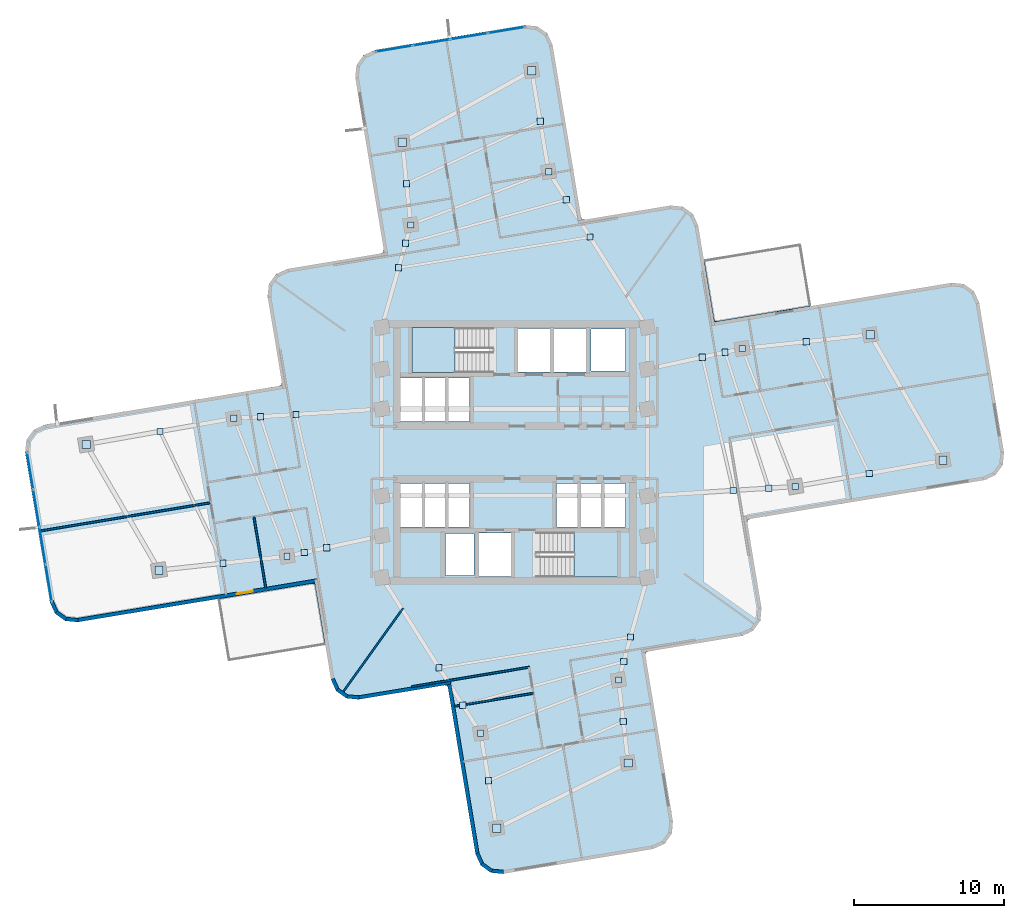
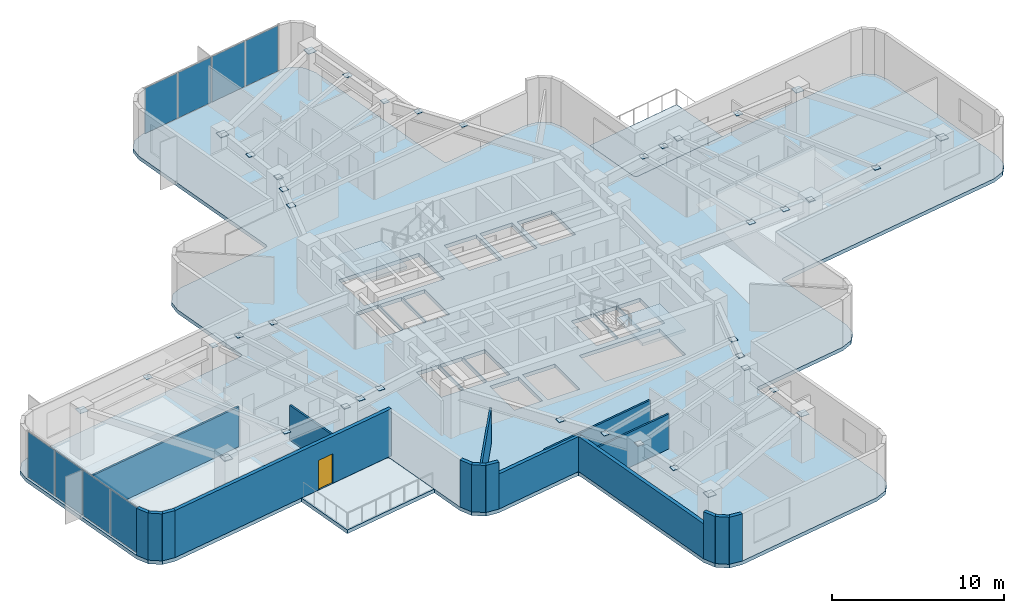
# One storey, part 6 of 13: 48 plates, 17 walls, 5 slabs, 1 door, 1 opening, 4 elements without a shape of their own.
"""IFC4 building model written with IfcOpenShell, lengths in metres."""

from ifc_helpers import new_model, si_unit, direction, frame, frame_2d, origin, origin_2d, place, context, subcontext, project, spatial, polyline, rectangle, outline, extrude, material, layer, layer_set, type_object, element, fill, aggregate, save


model = new_model("IFC4")

# Units and contexts
model_context = context("Model", 3, precision=1e-05, world=origin(), true_north=direction((0.0, 1.0)))
body_context = subcontext(model_context, "Body", "Model", "MODEL_VIEW")
ifc_project = project(units=[si_unit("LENGTHUNIT", "METRE"), si_unit("AREAUNIT", "SQUARE_METRE"), si_unit("VOLUMEUNIT", "CUBIC_METRE"), si_unit("PLANEANGLEUNIT", "RADIAN"), si_unit("MASSUNIT", "GRAM", prefix="KILO")], contexts=[model_context])

# Site, building, storey
site_placement = place(None, origin())
site = spatial("IfcSite", under=ifc_project, at=site_placement, CompositionType="ELEMENT")
building_placement = place(site_placement, origin())
building = spatial("IfcBuilding", under=site, at=building_placement, Name="Solmarez Civic Tower", CompositionType="ELEMENT")
storey_placement = place(building_placement, frame((0.0, 0.0, 96.47998046875)))
storey = spatial("IfcBuildingStorey", under=building, at=storey_placement, Name="L25", CompositionType="ELEMENT", Elevation=96.47998046875)

# Curtain wall, plates
ifc_material_1 = material(Name="Bronze Anodised Aluminium EN AW-6063 T6", Category="aluminium")
ifc_layer_1 = layer(ifc_material_1, 0.155029296875)
ifc_layer_set_1 = layer_set([ifc_layer_1], Name="Bronze Anodised Aluminium EN AW-6063 T6")
curtain_wall_type = type_object("IfcCurtainWallType", Name="CW-SYS-6", PredefinedType="NOTDEFINED", material=ifc_layer_set_1)
curtain_wall_1_placement = place(storey_placement, origin())
curtain_wall_1 = element("IfcCurtainWall", 1, at=curtain_wall_1_placement, inside=storey, type_object=curtain_wall_type, Name="L25 Stick-Built Curtain Wall 1", PredefinedType="NOTDEFINED")
ifc_material_2 = material(Name="Solar Control Low-E Laminated Vision Glass", Category="glass")
ifc_layer_2 = layer(ifc_material_2, 0.031982421875)
ifc_layer_set_2 = layer_set([ifc_layer_2], Name="Solar Control Low-E Laminated Vision Glass")
plate_type_1 = type_object("IfcPlateType", Name="CWP-GLAZ-32", PredefinedType="CURTAIN_PANEL", material=ifc_layer_set_2)
plate_1_placement = place(storey_placement, frame((-31.07421875, -8.7138671875, 0.06005859375), z_axis=(0.0, 0.0, 1.0), x_axis=(-0.163313377789, 0.986574244867, 0.0)))
plate_1 = element("IfcPlate", 2, at=plate_1_placement, type_object=plate_type_1, Name="CWS6 panel 1.1", PredefinedType="CURTAIN_PANEL", context=body_context, shape_type="SweptSolid", body=[
    extrude(rectangle(XDim=2.4345703125, YDim=0.031982421875, at=origin_2d()), origin(), (0.0, 0.0, 1.0), 3.219970703125),
])
plate_2_placement = place(storey_placement, frame((-31.486083984375, -6.225830078125, 0.06005859375), z_axis=(0.0, 0.0, 1.0), x_axis=(-0.163313377789, 0.986574244867, 0.0)))
plate_2 = element("IfcPlate", 3, at=plate_2_placement, type_object=plate_type_1, Name="CWS6 panel 2.1", PredefinedType="CURTAIN_PANEL", context=body_context, shape_type="SweptSolid", body=[
    extrude(rectangle(XDim=2.469482421875, YDim=0.031982421875, at=origin_2d()), origin(), (0.0, 0.0, 1.0), 3.219970703125),
])
plate_3_placement = place(storey_placement, frame((-31.90087890625, -3.72021484375, 0.06005859375), z_axis=(0.0, 0.0, 1.0), x_axis=(-0.163313377789, 0.986574244867, 0.0)))
plate_3 = element("IfcPlate", 4, at=plate_3_placement, type_object=plate_type_1, Name="CWS6 panel 3.1", PredefinedType="CURTAIN_PANEL", context=body_context, shape_type="SweptSolid", body=[
    extrude(rectangle(XDim=2.469482421875, YDim=0.031982421875, at=origin_2d()), origin(), (0.0, 0.0, 1.0), 3.219970703125),
])
plate_4_placement = place(storey_placement, frame((-32.312744140625, -1.23193359375, 0.06005859375), z_axis=(0.0, 0.0, 1.0), x_axis=(-0.163313377789, 0.986574244867, 0.0)))
plate_4 = element("IfcPlate", 5, at=plate_4_placement, type_object=plate_type_1, Name="CWS6 panel 4.1", PredefinedType="CURTAIN_PANEL", context=body_context, shape_type="SweptSolid", body=[
    extrude(rectangle(XDim=2.4345703125, YDim=0.031982421875, at=origin_2d()), origin(), (0.0, 0.0, 1.0), 3.219970703125),
])
aggregate(curtain_wall_1, [plate_1, plate_2, plate_3, plate_4])

curtain_wall_2_placement = place(storey_placement, origin())
curtain_wall_2 = element("IfcCurtainWall", 6, at=curtain_wall_2_placement, inside=storey, type_object=curtain_wall_type, Name="L25 Stick-Built Curtain Wall 2", PredefinedType="NOTDEFINED")
plate_5_placement = place(storey_placement, frame((-8.028076171875, 26.93017578125, 0.06005859375), z_axis=(0.0, 0.0, 1.0), x_axis=(0.986574244867, 0.163313377789, 0.0)))
plate_5 = element("IfcPlate", 7, at=plate_5_placement, type_object=plate_type_1, Name="CWS6 panel 1.1", PredefinedType="CURTAIN_PANEL", context=body_context, shape_type="SweptSolid", body=[
    extrude(rectangle(XDim=2.4345703125, YDim=0.031982421875, at=origin_2d()), origin(), (0.0, 0.0, 1.0), 3.219970703125),
])
plate_6_placement = place(storey_placement, frame((-5.539794921875, 27.342041015625, 0.06005859375), z_axis=(0.0, 0.0, 1.0), x_axis=(0.986574244867, 0.163313377789, 0.0)))
plate_6 = element("IfcPlate", 8, at=plate_6_placement, type_object=plate_type_1, Name="CWS6 panel 2.1", PredefinedType="CURTAIN_PANEL", context=body_context, shape_type="SweptSolid", body=[
    extrude(rectangle(XDim=2.469482421875, YDim=0.031982421875, at=origin_2d()), origin(), (0.0, 0.0, 1.0), 3.219970703125),
])
plate_7_placement = place(storey_placement, frame((-3.0341796875, 27.7568359375, 0.06005859375), z_axis=(0.0, 0.0, 1.0), x_axis=(0.986574244867, 0.163313377789, 0.0)))
plate_7 = element("IfcPlate", 9, at=plate_7_placement, type_object=plate_type_1, Name="CWS6 panel 3.1", PredefinedType="CURTAIN_PANEL", context=body_context, shape_type="SweptSolid", body=[
    extrude(rectangle(XDim=2.469482421875, YDim=0.031982421875, at=origin_2d()), origin(), (0.0, 0.0, 1.0), 3.219970703125),
])
plate_8_placement = place(storey_placement, frame((-0.5458984375, 28.168701171875, 0.06005859375), z_axis=(0.0, 0.0, 1.0), x_axis=(0.986574244867, 0.163313377789, 0.0)))
plate_8 = element("IfcPlate", 10, at=plate_8_placement, type_object=plate_type_1, Name="CWS6 panel 4.1", PredefinedType="CURTAIN_PANEL", context=body_context, shape_type="SweptSolid", body=[
    extrude(rectangle(XDim=2.4345703125, YDim=0.031982421875, at=origin_2d()), origin(), (0.0, 0.0, 1.0), 3.219970703125),
])
aggregate(curtain_wall_2, [plate_5, plate_6, plate_7, plate_8])

# Plates
ifc_material_3 = material(Name="Steel S355", Category="steel")
ifc_layer_3 = layer(ifc_material_3, 0.02392578125)
ifc_layer_set_3 = layer_set([ifc_layer_3], Name="Steel S355")
plate_type_2 = type_object("IfcPlateType", Name="PLT-CAP-380", PredefinedType="USERDEFINED", material=ifc_layer_set_3)
for number, where, z_axis, x_axis, name in (
    (11, (18.72412109375, -2.27099609375, 3.177978515625), (0.0, 0.0, 1.0), (1.0, 0.0, 0.0), "Steel Member End Cap Plate CAP-BM-L25-EA-T1-0"),
    (12, (15.175048828125, 6.927001953125, 3.177978515625), (0.0, 0.0, 1.0), (1.0, 0.0, 0.0), "Steel Member End Cap Plate CAP-BM-L25-EA-T1-1"),
    (13, (23.64990234375, -1.402099609375, 3.177978515625), (0.0, 0.0, 1.0), (1.0, 0.0, 0.0), "Steel Member End Cap Plate CAP-JS-L25-EA-M2-0"),
    (14, (19.445068359375, 7.388916015625, 3.177978515625), (0.0, 0.0, 1.0), (1.0, 0.0, 0.0), "Steel Member End Cap Plate CAP-JS-L25-EA-M2-1"),
    (15, (14.576904296875, -2.534912109375, 3.177978515625), (0.0, 0.0, 1.0), (1.0, 0.0, 0.0), "Steel Member End Cap Plate CAP-JS-L25-EA-M11-0"),
    (16, (12.51806640625, 6.34912109375, 3.177978515625), (0.0, 0.0, 1.0), (1.0, 0.0, 0.0), "Steel Member End Cap Plate CAP-JS-L25-EA-M11-1"),
    (17, (16.947021484375, -2.384033203125, 3.177978515625), (0.0, 0.0, 1.0), (1.0, 0.0, 0.0), "Steel Member End Cap Plate CAP-JS-L25-EA-M12-0"),
    (18, (14.037109375, 6.678955078125, 3.177978515625), (0.0, 0.0, 1.0), (1.0, 0.0, 0.0), "Steel Member End Cap Plate CAP-JS-L25-EA-M12-1"),
    (19, (2.27099609375, 18.72412109375, 3.177978515625), (0.0, 0.0, 1.0), (1.0, 0.0, 0.0), "Steel Member End Cap Plate CAP-BM-L25-NA-T1-0"),
    (20, (-6.927001953125, 15.175048828125, 3.177978515625), (0.0, 0.0, 1.0), (1.0, 0.0, 0.0), "Steel Member End Cap Plate CAP-BM-L25-NA-T1-1"),
    (21, (1.705078125, 22.090087890625, 3.177978515625), (0.0, 0.0, 1.0), (1.0, 0.0, 0.0), "Steel Member End Cap Plate CAP-JS-L25-NA-M2-0"),
    (22, (-7.2080078125, 17.927001953125, 3.177978515625), (0.0, 0.0, 1.0), (1.0, 0.0, 0.0), "Steel Member End Cap Plate CAP-JS-L25-NA-M2-1"),
    (23, (5.033935546875, 14.366943359375, 3.177978515625), (0.0, 0.0, 1.0), (1.0, 0.0, 0.0), "Steel Member End Cap Plate CAP-JS-L25-NA-M11-0"),
    (24, (-7.735107421875, 12.30908203125, 3.177978515625), (0.0, 0.0, 1.0), (1.0, 0.0, 0.0), "Steel Member End Cap Plate CAP-JS-L25-NA-M11-1"),
    (25, (3.455078125, 16.85693359375, 3.177978515625), (0.0, 0.0, 1.0), (1.0, 0.0, 0.0), "Steel Member End Cap Plate CAP-JS-L25-NA-M12-0"),
    (26, (-7.27294921875, 13.947021484375, 3.177978515625), (0.0, 0.0, 1.0), (1.0, 0.0, 0.0), "Steel Member End Cap Plate CAP-JS-L25-NA-M12-1"),
    (27, (-18.72412109375, 2.27099609375, 3.177978515625), (0.0, 0.0, 1.0), (1.0, 0.0, 0.0), "Steel Member End Cap Plate CAP-BM-L25-WA-T1-0"),
    (28, (-15.175048828125, -6.927001953125, 3.177978515625), (0.0, 0.0, 1.0), (1.0, 0.0, 0.0), "Steel Member End Cap Plate CAP-BM-L25-WA-T1-1"),
    (29, (-23.64990234375, 1.402099609375, 3.177978515625), (0.0, 0.0, 1.0), (1.0, 0.0, 0.0), "Steel Member End Cap Plate CAP-JS-L25-WA-M2-0"),
    (30, (-19.445068359375, -7.388916015625, 3.177978515625), (0.0, 0.0, 1.0), (1.0, 0.0, 0.0), "Steel Member End Cap Plate CAP-JS-L25-WA-M2-1"),
    (31, (-14.576904296875, 2.534912109375, 3.177978515625), (0.0, 0.0, 1.0), (1.0, 0.0, 0.0), "Steel Member End Cap Plate CAP-JS-L25-WA-M11-0"),
    (32, (-12.51806640625, -6.34912109375, 3.177978515625), (0.0, 0.0, 1.0), (1.0, 0.0, 0.0), "Steel Member End Cap Plate CAP-JS-L25-WA-M11-1"),
    (33, (-16.947021484375, 2.384033203125, 3.177978515625), (0.0, 0.0, 1.0), (1.0, 0.0, 0.0), "Steel Member End Cap Plate CAP-JS-L25-WA-M12-0"),
    (34, (-14.037109375, -6.678955078125, 3.177978515625), (0.0, 0.0, 1.0), (1.0, 0.0, 0.0), "Steel Member End Cap Plate CAP-JS-L25-WA-M12-1"),
    (35, (-2.27099609375, -18.72412109375, 3.177978515625), (0.0, 0.0, 1.0), (1.0, 0.0, 0.0), "Steel Member End Cap Plate CAP-BM-L25-SA-T1-0"),
    (36, (6.927001953125, -15.175048828125, 3.177978515625), (0.0, 0.0, 1.0), (1.0, 0.0, 0.0), "Steel Member End Cap Plate CAP-BM-L25-SA-T1-1"),
    (37, (-1.73291015625, -21.89892578125, 3.177978515625), (0.0, 0.0, 1.0), (1.0, 0.0, 0.0), "Steel Member End Cap Plate CAP-JS-L25-SA-M2-0"),
    (38, (7.25, -17.944091796875, 3.177978515625), (0.0, 0.0, 1.0), (1.0, 0.0, 0.0), "Steel Member End Cap Plate CAP-JS-L25-SA-M2-1"),
    (39, (-5.033935546875, -14.366943359375, 3.177978515625), (0.0, 0.0, 1.0), (1.0, 0.0, 0.0), "Steel Member End Cap Plate CAP-JS-L25-SA-M11-0"),
    (40, (7.735107421875, -12.30908203125, 3.177978515625), (0.0, 0.0, 1.0), (1.0, 0.0, 0.0), "Steel Member End Cap Plate CAP-JS-L25-SA-M11-1"),
    (41, (-3.455078125, -16.85693359375, 3.177978515625), (0.0, 0.0, 1.0), (1.0, 0.0, 0.0), "Steel Member End Cap Plate CAP-JS-L25-SA-M12-0"),
    (42, (7.27294921875, -13.947021484375, 3.177978515625), (0.0, 0.0, 1.0), (1.0, 0.0, 0.0), "Steel Member End Cap Plate CAP-JS-L25-SA-M12-1"),
):
    element("IfcPlate", number, at=place(storey_placement, frame(where, z_axis=z_axis, x_axis=x_axis)), inside=storey, type_object=plate_type_2, Name=name, ObjectType="CAP_PLATE", PredefinedType="USERDEFINED", context=body_context, shape_type="SweptSolid", body=[
        extrude(rectangle(XDim=0.419921875, YDim=0.419921875, at=origin_2d()), origin(), (0.0, 0.0, 1.0), 0.02392578125),
    ])
ifc_layer_4 = layer(ifc_material_3, 0.028076171875)
ifc_layer_set_4 = layer_set([ifc_layer_4], Name="Steel S355")
plate_type_3 = type_object("IfcPlateType", Name="PLT-CAP-540", PredefinedType="USERDEFINED", material=ifc_layer_set_4)
for number, where, z_axis, x_axis, name in (
    (43, (28.575927734375, -0.532958984375, 3.076171875), (0.0, 0.0, 1.0), (1.0, 0.0, 0.0), "Steel Member End Cap Plate CAP-BM-L25-EA-T2-0"),
    (44, (23.715087890625, 7.85107421875, 3.076171875), (0.0, 0.0, 1.0), (1.0, 0.0, 0.0), "Steel Member End Cap Plate CAP-BM-L25-EA-T2-1"),
    (45, (1.138916015625, 25.45703125, 3.076171875), (0.0, 0.0, 1.0), (1.0, 0.0, 0.0), "Steel Member End Cap Plate CAP-BM-L25-NA-T2-0"),
    (46, (-7.489013671875, 20.678955078125, 3.076171875), (0.0, 0.0, 1.0), (1.0, 0.0, 0.0), "Steel Member End Cap Plate CAP-BM-L25-NA-T2-1"),
    (47, (-28.575927734375, 0.532958984375, 3.076171875), (0.0, 0.0, 1.0), (1.0, 0.0, 0.0), "Steel Member End Cap Plate CAP-BM-L25-WA-T2-0"),
    (48, (-23.715087890625, -7.85107421875, 3.076171875), (0.0, 0.0, 1.0), (1.0, 0.0, 0.0), "Steel Member End Cap Plate CAP-BM-L25-WA-T2-1"),
    (49, (-1.195068359375, -25.073974609375, 3.076171875), (0.0, 0.0, 1.0), (1.0, 0.0, 0.0), "Steel Member End Cap Plate CAP-BM-L25-SA-T2-0"),
    (50, (7.573974609375, -20.714111328125, 3.076171875), (0.0, 0.0, 1.0), (1.0, 0.0, 0.0), "Steel Member End Cap Plate CAP-BM-L25-SA-T2-1"),
):
    element("IfcPlate", number, at=place(storey_placement, frame(where, z_axis=z_axis, x_axis=x_axis)), inside=storey, type_object=plate_type_3, Name=name, ObjectType="CAP_PLATE", PredefinedType="USERDEFINED", context=body_context, shape_type="SweptSolid", body=[
        extrude(rectangle(XDim=0.56005859375, YDim=0.56005859375, at=origin_2d()), origin(), (0.0, 0.0, 1.0), 0.028076171875),
    ])

# Stair, slab
ifc_material_4 = material(Name="Concrete C50/60", Category="concrete")
stair_type = type_object("IfcStairType", Name="STAIR-DOGLEG-140W-20R-1800", PredefinedType="HALF_TURN_STAIR", material=ifc_material_4)
stair_1_placement = place(storey_placement, origin())
stair_1 = element("IfcStair", 51, at=stair_1_placement, inside=storey, type_object=stair_type, Name="L25 North Core Protected Exit Stair ST-1", PredefinedType="HALF_TURN_STAIR")
ifc_layer_5 = layer(ifc_material_4, 0.199951171875)
ifc_layer_set_5 = layer_set([ifc_layer_5], Name="Concrete C50/60")
slab_type_1 = type_object("IfcSlabType", Name="SLAB-LANDING-200", PredefinedType="LANDING", material=ifc_layer_set_5)
slab_1_placement = place(storey_placement, frame((0.0, 0.0, 1.60009765625)))
slab_1 = element("IfcSlab", 52, at=slab_1_placement, type_object=slab_type_1, Name="ST-1 landing 1", PredefinedType="LANDING", context=body_context, shape_type="SweptSolid", body=[
    extrude(outline(polyline([(-3.969970703125, 8.320068359375), (-6.85009765625, 8.320068359375), (-6.85009765625, 5.320068359375), (-3.969970703125, 5.320068359375), (-3.969970703125, 8.320068359375)])), origin(), (0.0, 0.0, 1.0), 0.199951171875),
])
aggregate(stair_1, [slab_1])

stair_2_placement = place(storey_placement, origin())
stair_2 = element("IfcStair", 53, at=stair_2_placement, inside=storey, type_object=stair_type, Name="L25 South Core Protected Exit Stair ST-2", PredefinedType="HALF_TURN_STAIR")
slab_2_placement = place(storey_placement, frame((0.0, 0.0, 1.60009765625)))
slab_2 = element("IfcSlab", 54, at=slab_2_placement, type_object=slab_type_1, Name="ST-2 landing 1", PredefinedType="LANDING", context=body_context, shape_type="SweptSolid", body=[
    extrude(outline(polyline([(3.969970703125, -8.320068359375), (6.85009765625, -8.320068359375), (6.85009765625, -5.320068359375), (3.969970703125, -5.320068359375), (3.969970703125, -8.320068359375)])), origin(), (0.0, 0.0, 1.0), 0.199951171875),
])
aggregate(stair_2, [slab_2])

# Slabs
ifc_layer_6 = layer(ifc_material_4, 0.260009765625)
ifc_layer_set_6 = layer_set([ifc_layer_6], Name="Concrete C50/60")
slab_type_2 = type_object("IfcSlabType", Name="SLAB-TOWER-260", PredefinedType="FLOOR", material=ifc_layer_set_6)
slab_3_placement = place(storey_placement, frame((0.0, 0.0, -0.260009765625)))
element("IfcSlab", 55, at=slab_3_placement, inside=storey, type_object=slab_type_2, Name="L25 Structural Slab", PredefinedType="FLOOR", context=body_context, shape_type="SweptSolid", body=[
    extrude(outline(polyline([(-13.27490234375, -8.89794921875), (-12.239990234375, -15.153076171875), (-11.89697265625, -15.906982421875), (-11.22412109375, -16.388916015625), (-10.39990234375, -16.469970703125), (-4.677978515625, -15.52294921875), (-4.507080078125, -15.5390625), (-4.43603515625, -15.696044921875), (-2.60009765625, -26.783935546875), (-2.258056640625, -27.5390625), (-1.5849609375, -28.02099609375), (-0.760009765625, -28.10205078125), (9.242919921875, -26.445068359375), (9.998046875, -26.10302734375), (10.47998046875, -25.429931640625), (10.56103515625, -24.60595703125), (8.72509765625, -13.51708984375), (8.741943359375, -13.345947265625), (8.89794921875, -13.27490234375), (15.153076171875, -12.239990234375), (15.906982421875, -11.89697265625), (16.388916015625, -11.22412109375), (16.469970703125, -10.39990234375), (15.52294921875, -4.677978515625), (15.5390625, -4.507080078125), (15.696044921875, -4.43603515625), (31.322998046875, -1.84912109375), (32.076904296875, -1.507080078125), (32.55908203125, -0.8330078125), (32.639892578125, -0.009033203125), (30.98388671875, 9.9951171875), (30.64208984375, 10.7490234375), (29.968017578125, 11.23095703125), (29.14404296875, 11.31201171875), (13.51708984375, 8.72509765625), (13.345947265625, 8.741943359375), (13.27490234375, 8.89794921875), (12.239990234375, 15.153076171875), (11.89697265625, 15.906982421875), (11.22412109375, 16.388916015625), (10.39990234375, 16.469970703125), (4.677978515625, 15.52294921875), (4.507080078125, 15.5390625), (4.43603515625, 15.696044921875), (2.534912109375, 27.178955078125), (2.193115234375, 27.93310546875), (1.51904296875, 28.4150390625), (0.695068359375, 28.49609375), (-9.30908203125, 26.840087890625), (-10.06298828125, 26.498046875), (-10.544921875, 25.823974609375), (-10.6259765625, 25.0), (-8.72509765625, 13.51708984375), (-8.741943359375, 13.345947265625), (-8.89794921875, 13.27490234375), (-15.153076171875, 12.239990234375), (-15.906982421875, 11.89697265625), (-16.388916015625, 11.22412109375), (-16.469970703125, 10.39990234375), (-15.52294921875, 4.677978515625), (-15.5390625, 4.507080078125), (-15.696044921875, 4.43603515625), (-31.322998046875, 1.84912109375), (-32.076904296875, 1.507080078125), (-32.55908203125, 0.8330078125), (-32.639892578125, 0.009033203125), (-30.98388671875, -9.9951171875), (-30.64208984375, -10.7490234375), (-29.968017578125, -11.23095703125), (-29.14404296875, -11.31201171875), (-13.51708984375, -8.72509765625), (-13.345947265625, -8.741943359375), (-13.27490234375, -8.89794921875)]), holes=[polyline([(-1.449951171875, 8.320068359375), (-6.85009765625, 8.320068359375), (-6.85009765625, 5.320068359375), (-1.449951171875, 5.320068359375), (-1.449951171875, 8.320068359375)]), polyline([(1.449951171875, -8.320068359375), (6.85009765625, -8.320068359375), (6.85009765625, -5.320068359375), (1.449951171875, -5.320068359375), (1.449951171875, -8.320068359375)]), polyline([(0.219970703125, 5.360107421875), (2.3798828125, 5.360107421875), (2.3798828125, 8.280029296875), (0.219970703125, 8.280029296875), (0.219970703125, 5.360107421875)]), polyline([(2.6201171875, 5.360107421875), (4.780029296875, 5.360107421875), (4.780029296875, 8.280029296875), (2.6201171875, 8.280029296875), (2.6201171875, 5.360107421875)]), polyline([(-2.3798828125, -8.280029296875), (-0.219970703125, -8.280029296875), (-0.219970703125, -5.360107421875), (-2.3798828125, -5.360107421875), (-2.3798828125, -8.280029296875)]), polyline([(2.800048828125, -4.9599609375), (4.280029296875, -4.9599609375), (4.280029296875, -2.06005859375), (2.800048828125, -2.06005859375), (2.800048828125, -4.9599609375)]), polyline([(4.360107421875, -4.9599609375), (5.840087890625, -4.9599609375), (5.840087890625, -2.06005859375), (4.360107421875, -2.06005859375), (4.360107421875, -4.9599609375)]), polyline([(5.919921875, -4.9599609375), (7.39990234375, -4.9599609375), (7.39990234375, -2.06005859375), (5.919921875, -2.06005859375), (5.919921875, -4.9599609375)]), polyline([(-7.60009765625, -4.9599609375), (-6.1201171875, -4.9599609375), (-6.1201171875, -2.06005859375), (-7.60009765625, -2.06005859375), (-7.60009765625, -4.9599609375)]), polyline([(-6.0400390625, -4.9599609375), (-4.56005859375, -4.9599609375), (-4.56005859375, -2.06005859375), (-6.0400390625, -2.06005859375), (-6.0400390625, -4.9599609375)]), polyline([(-4.47998046875, -4.9599609375), (-3.0, -4.9599609375), (-3.0, -2.06005859375), (-4.47998046875, -2.06005859375), (-4.47998046875, -4.9599609375)]), polyline([(-7.60009765625, 2.06005859375), (-6.1201171875, 2.06005859375), (-6.1201171875, 4.9599609375), (-7.60009765625, 4.9599609375), (-7.60009765625, 2.06005859375)]), polyline([(-6.0400390625, 2.06005859375), (-4.56005859375, 2.06005859375), (-4.56005859375, 4.9599609375), (-6.0400390625, 4.9599609375), (-6.0400390625, 2.06005859375)]), polyline([(-4.47998046875, 2.06005859375), (-3.0, 2.06005859375), (-3.0, 4.9599609375), (-4.47998046875, 4.9599609375), (-4.47998046875, 2.06005859375)]), polyline([(5.10009765625, 5.419921875), (7.39990234375, 5.419921875), (7.39990234375, 8.219970703125), (5.10009765625, 8.219970703125), (5.10009765625, 5.419921875)]), polyline([(-4.60009765625, -8.219970703125), (-2.699951171875, -8.219970703125), (-2.699951171875, -5.419921875), (-4.60009765625, -5.419921875), (-4.60009765625, -8.219970703125)])]), origin(), (0.0, 0.0, 1.0), 0.260009765625),
])
slab_4_placement = place(storey_placement, frame((0.0, 0.0, -0.260009765625)))
element("IfcSlab", 56, at=slab_4_placement, inside=storey, type_object=slab_type_2, Name="L25 Re-entrant Corner Winter-Garden Balcony NE", PredefinedType="FLOOR", context=body_context, shape_type="SweptSolid", body=[
    extrude(outline(polyline([(12.625, 12.833984375), (13.277099609375, 8.89892578125), (13.346923828125, 8.743896484375), (13.51708984375, 8.72705078125), (19.77099609375, 9.761962890625), (19.0849609375, 13.904052734375), (12.625, 12.833984375)])), origin(), (0.0, 0.0, 1.0), 0.260009765625),
])
slab_5_placement = place(storey_placement, frame((0.0, 0.0, -0.260009765625)))
element("IfcSlab", 57, at=slab_5_placement, inside=storey, type_object=slab_type_2, Name="L25 Re-entrant Corner Winter-Garden Balcony SW", PredefinedType="FLOOR", context=body_context, shape_type="SweptSolid", body=[
    extrude(outline(polyline([(-12.625, -12.833984375), (-13.277099609375, -8.89892578125), (-13.346923828125, -8.743896484375), (-13.51708984375, -8.72705078125), (-19.77099609375, -9.761962890625), (-19.0849609375, -13.904052734375), (-12.625, -12.833984375)])), origin(), (0.0, 0.0, 1.0), 0.260009765625),
])

# Wall, opening, door
ifc_material_5 = material(Name="Precast concrete C40/50", Category="concrete")
ifc_layer_7 = layer(ifc_material_5, 0.239990234375)
ifc_layer_set_7 = layer_set([ifc_layer_7], Name="Precast concrete C40/50")
wall_type_1 = type_object("IfcWallType", Name="WALL-EXT-240", PredefinedType="SOLIDWALL", material=ifc_layer_set_7)
wall_1_placement = place(storey_placement, frame((-13.114990234375, -8.537109375, 0.0), z_axis=(0.0, 0.0, 1.0), x_axis=(-0.986576548161, -0.163299463007, 0.0)))
wall_1 = element("IfcWall", 58, at=wall_1_placement, inside=storey, type_object=wall_type_1, Name="L25 Exterior Precast Wall 2", PredefinedType="SOLIDWALL", context=body_context, shape_type="SweptSolid", body=[
    extrude(rectangle(XDim=16.276611328125, YDim=0.239990234375, at=frame_2d((8.13818359375, 0.0))), origin(), (0.0, 0.0, 1.0), 3.340087890625),
])
opening_placement = place(wall_1_placement, frame((4.39990234375, 0.0, 0.0)))
opening = element("IfcOpeningElement", 59, at=opening_placement, cuts=wall_1, Name="Opening D-06", PredefinedType="OPENING", context=body_context, shape_type="SweptSolid", body=[
    extrude(rectangle(XDim=1.10009765625, YDim=2.10009765625, at=frame_2d((0.550048828125, 1.050048828125))), frame((0.0, 0.1298828125, 0.0), z_axis=(0.0, -1.0, 0.0), x_axis=(1.0, 0.0, 0.0)), (0.0, 0.0, 1.0), 0.260009765625),
])
ifc_material_6 = material(Name="Bronze Anodised Aluminium Glazed Terrace Door", Category="aluminium")
door_type = type_object("IfcDoorType", Name="DOOR-TERR-1100", OperationType="NOTDEFINED", PredefinedType="DOOR", material=ifc_material_6)
door_placement = place(opening_placement, origin())
door = element("IfcDoor", 60, at=door_placement, inside=storey, type_object=door_type, Name="L25 Outdoor Terrace Glazed Door", OperationType="SINGLE_SWING_RIGHT", OverallHeight=2.10009765625, OverallWidth=1.10009765625, PredefinedType="DOOR", context=body_context, shape_type="SweptSolid", body=[
    extrude(rectangle(XDim=1.10009765625, YDim=2.10009765625, at=frame_2d((0.550048828125, 1.050048828125))), frame((0.0, 0.02490234375, 0.0), z_axis=(0.0, -1.0, 0.0), x_axis=(1.0, 0.0, 0.0)), (0.0, 0.0, 1.0), 0.050048828125),
])
fill(opening, door)

# Walls
wall_2_placement = place(storey_placement, frame((-29.123046875, -11.193115234375, 0.0), z_axis=(0.0, 0.0, 1.0), x_axis=(-0.995332708541, 0.096502846113, 0.0)))
element("IfcWall", 61, at=wall_2_placement, inside=storey, type_object=wall_type_1, Name="L25 Exterior Precast Wall 3", PredefinedType="SOLIDWALL", context=body_context, shape_type="SweptSolid", body=[
    extrude(rectangle(XDim=0.829833984375, YDim=0.239990234375, at=frame_2d((0.4150390625, 0.0))), origin(), (0.0, 0.0, 1.0), 3.340087890625),
])
wall_3_placement = place(storey_placement, frame((-29.904052734375, -11.1298828125, 0.0), z_axis=(0.0, 0.0, 1.0), x_axis=(-0.812516648433, 0.582937986427, 0.0)))
element("IfcWall", 62, at=wall_3_placement, inside=storey, type_object=wall_type_1, Name="L25 Exterior Precast Wall 4", PredefinedType="SOLIDWALL", context=body_context, shape_type="SweptSolid", body=[
    extrude(rectangle(XDim=0.814697265625, YDim=0.239990234375, at=frame_2d((0.4072265625, 0.0))), origin(), (0.0, 0.0, 1.0), 3.340087890625),
])
wall_4_placement = place(storey_placement, frame((-30.535888671875, -10.693115234375, 0.0), z_axis=(0.0, 0.0, 1.0), x_axis=(-0.411720575173, 0.911310138196, 0.0)))
element("IfcWall", 63, at=wall_4_placement, inside=storey, type_object=wall_type_1, Name="L25 Exterior Precast Wall 5", PredefinedType="SOLIDWALL", context=body_context, shape_type="SweptSolid", body=[
    extrude(rectangle(XDim=0.830810546875, YDim=0.239990234375, at=frame_2d((0.41552734375, 0.0))), origin(), (0.0, 0.0, 1.0), 3.340087890625),
])
wall_5_placement = place(storey_placement, frame((-0.739990234375, -27.98291015625, 0.0), z_axis=(0.0, 0.0, 1.0), x_axis=(-0.995247551264, 0.097377162125, 0.0)))
element("IfcWall", 64, at=wall_5_placement, inside=storey, type_object=wall_type_1, Name="L25 Exterior Precast Wall 61", PredefinedType="SOLIDWALL", context=body_context, shape_type="SweptSolid", body=[
    extrude(rectangle(XDim=0.829833984375, YDim=0.239990234375, at=frame_2d((0.4150390625, 0.0))), origin(), (0.0, 0.0, 1.0), 3.340087890625),
])
wall_6_placement = place(storey_placement, frame((-1.52099609375, -27.9189453125, 0.0), z_axis=(0.0, 0.0, 1.0), x_axis=(-0.812677327872, 0.582713961359, 0.0)))
element("IfcWall", 65, at=wall_6_placement, inside=storey, type_object=wall_type_1, Name="L25 Exterior Precast Wall 62", PredefinedType="SOLIDWALL", context=body_context, shape_type="SweptSolid", body=[
    extrude(rectangle(XDim=0.813232421875, YDim=0.239990234375, at=frame_2d((0.40673828125, 0.0))), origin(), (0.0, 0.0, 1.0), 3.340087890625),
])
wall_7_placement = place(storey_placement, frame((-2.152099609375, -27.48291015625, 0.0), z_axis=(0.0, 0.0, 1.0), x_axis=(-0.412806551479, 0.910818725684, 0.0)))
element("IfcWall", 66, at=wall_7_placement, inside=storey, type_object=wall_type_1, Name="L25 Exterior Precast Wall 63", PredefinedType="SOLIDWALL", context=body_context, shape_type="SweptSolid", body=[
    extrude(rectangle(XDim=0.8310546875, YDim=0.239990234375, at=frame_2d((0.41552734375, 0.0))), origin(), (0.0, 0.0, 1.0), 3.340087890625),
])
wall_8_placement = place(storey_placement, frame((-2.48095703125, -26.77392578125, 0.0), z_axis=(0.0, 0.0, 1.0), x_axis=(-0.16326282821, 0.986582611303, 0.0)))
element("IfcWall", 67, at=wall_8_placement, inside=storey, type_object=wall_type_1, Name="L25 Exterior Precast Wall 64", PredefinedType="SOLIDWALL", context=body_context, shape_type="SweptSolid", body=[
    extrude(rectangle(XDim=11.674560546875, YDim=0.239990234375, at=frame_2d((5.83740234375, 0.0))), origin(), (0.0, 0.0, 1.0), 2.486083984375),
])
wall_9_placement = place(storey_placement, frame((-4.27587890625, -15.3349609375, 0.0), z_axis=(0.0, 0.0, 1.0), x_axis=(-0.986586851863, -0.16323720082, 0.0)))
element("IfcWall", 68, at=wall_9_placement, inside=storey, type_object=wall_type_1, Name="L25 Exterior Precast Wall 67", PredefinedType="SOLIDWALL", context=body_context, shape_type="SweptSolid", body=[
    extrude(rectangle(XDim=6.23681640625, YDim=0.239990234375, at=frame_2d((3.118408203125, 0.0))), origin(), (0.0, 0.0, 1.0), 2.486083984375),
])
wall_10_placement = place(storey_placement, frame((-10.37890625, -16.35107421875, 0.0), z_axis=(0.0, 0.0, 1.0), x_axis=(-0.995335447313, 0.096474594184, 0.0)))
element("IfcWall", 69, at=wall_10_placement, inside=storey, type_object=wall_type_1, Name="L25 Exterior Precast Wall 68", PredefinedType="SOLIDWALL", context=body_context, shape_type="SweptSolid", body=[
    extrude(rectangle(XDim=0.830078125, YDim=0.239990234375, at=frame_2d((0.4150390625, 0.0))), origin(), (0.0, 0.0, 1.0), 3.340087890625),
])
wall_11_placement = place(storey_placement, frame((-11.159912109375, -16.2880859375, 0.0), z_axis=(0.0, 0.0, 1.0), x_axis=(-0.812068662375, 0.583561896965, 0.0)))
element("IfcWall", 70, at=wall_11_placement, inside=storey, type_object=wall_type_1, Name="L25 Exterior Precast Wall 69", PredefinedType="SOLIDWALL", context=body_context, shape_type="SweptSolid", body=[
    extrude(rectangle(XDim=0.814208984375, YDim=0.239990234375, at=frame_2d((0.4072265625, 0.0))), origin(), (0.0, 0.0, 1.0), 3.340087890625),
])
wall_12_placement = place(storey_placement, frame((-11.791015625, -15.85107421875, 0.0), z_axis=(0.0, 0.0, 1.0), x_axis=(-0.412696106872, 0.910868773958, 0.0)))
element("IfcWall", 71, at=wall_12_placement, inside=storey, type_object=wall_type_1, Name="L25 Exterior Precast Wall 70", PredefinedType="SOLIDWALL", context=body_context, shape_type="SweptSolid", body=[
    extrude(rectangle(XDim=0.8310546875, YDim=0.239990234375, at=frame_2d((0.41552734375, 0.0))), origin(), (0.0, 0.0, 1.0), 3.340087890625),
])
ifc_material_7 = material(Name="Gypsum Board Acoustic Steel-Stud Partition", Category="steel")
ifc_layer_8 = layer(ifc_material_7, 0.1201171875)
ifc_layer_set_8 = layer_set([ifc_layer_8], Name="Gypsum Board Acoustic Steel-Stud Partition")
wall_type_2 = type_object("IfcWallType", Name="WALL-INT-PART-120", PredefinedType="PARTITIONING", material=ifc_layer_set_8)
wall_13_placement = place(storey_placement, frame((-7.430908203125, -10.3798828125, 0.0), z_axis=(0.0, 0.0, 1.0), x_axis=(-0.582126278944, -0.813098392178, 0.0)))
element("IfcWall", 72, at=wall_13_placement, inside=storey, type_object=wall_type_2, Name="L25 Interior Partition PT-L25-QDIV-3", PredefinedType="PARTITIONING", context=body_context, shape_type="SweptSolid", body=[
    extrude(rectangle(XDim=6.888671875, YDim=0.1201171875, at=frame_2d((3.4443359375, 0.0))), origin(), (0.0, 0.0, 1.0), 2.486083984375),
])
wall_14_placement = place(storey_placement, frame((-17.382080078125, -4.297119140625, 0.0), z_axis=(0.0, 0.0, 1.0), x_axis=(0.163556674632, -0.986533939702, 0.0)))
element("IfcWall", 73, at=wall_14_placement, inside=storey, type_object=wall_type_2, Name="L25 Interior Partition PT-L25-W-LM", PredefinedType="PARTITIONING", context=body_context, shape_type="SweptSolid", body=[
    extrude(rectangle(XDim=4.79443359375, YDim=0.1201171875, at=frame_2d((2.397216796875, 0.0))), origin(), (0.0, 0.0, 1.0), 2.486083984375),
])
wall_15_placement = place(storey_placement, frame((-20.31396484375, -3.363037109375, 0.0), z_axis=(0.0, 0.0, 1.0), x_axis=(-0.986565802435, -0.163364370245, 0.0)))
element("IfcWall", 74, at=wall_15_placement, inside=storey, type_object=wall_type_2, Name="L25 Interior Partition PT-L25-W-TM", PredefinedType="PARTITIONING", context=body_context, shape_type="SweptSolid", body=[
    extrude(rectangle(XDim=11.404296875, YDim=0.1201171875, at=frame_2d((5.7021484375, 0.0))), origin(), (0.0, 0.0, 1.0), 2.83203125),
])
wall_16_placement = place(storey_placement, frame((-6.860107421875, -15.6201171875, 0.0), z_axis=(0.0, 0.0, 1.0), x_axis=(0.986575116384, 0.16330811288, 0.0)))
element("IfcWall", 75, at=wall_16_placement, inside=storey, type_object=wall_type_2, Name="L25 Interior Partition PT-L25-S-EFR", PredefinedType="PARTITIONING", context=body_context, shape_type="SweptSolid", body=[
    extrude(rectangle(XDim=7.94873046875, YDim=0.1201171875, at=frame_2d((3.974365234375, 0.0))), origin(), (0.0, 0.0, 1.0), 2.486083984375),
])
wall_17_placement = place(storey_placement, frame((-4.02294921875, -16.93408203125, 0.0), z_axis=(0.0, 0.0, 1.0), x_axis=(0.986577604904, 0.16329307855, 0.0)))
element("IfcWall", 76, at=wall_17_placement, inside=storey, type_object=wall_type_2, Name="L25 Interior Partition PT-L25-S-RM", PredefinedType="PARTITIONING", context=body_context, shape_type="SweptSolid", body=[
    extrude(rectangle(XDim=5.33447265625, YDim=0.1201171875, at=frame_2d((2.667236328125, 0.0))), origin(), (0.0, 0.0, 1.0), 2.486083984375),
])

save(model, "model.ifc")
